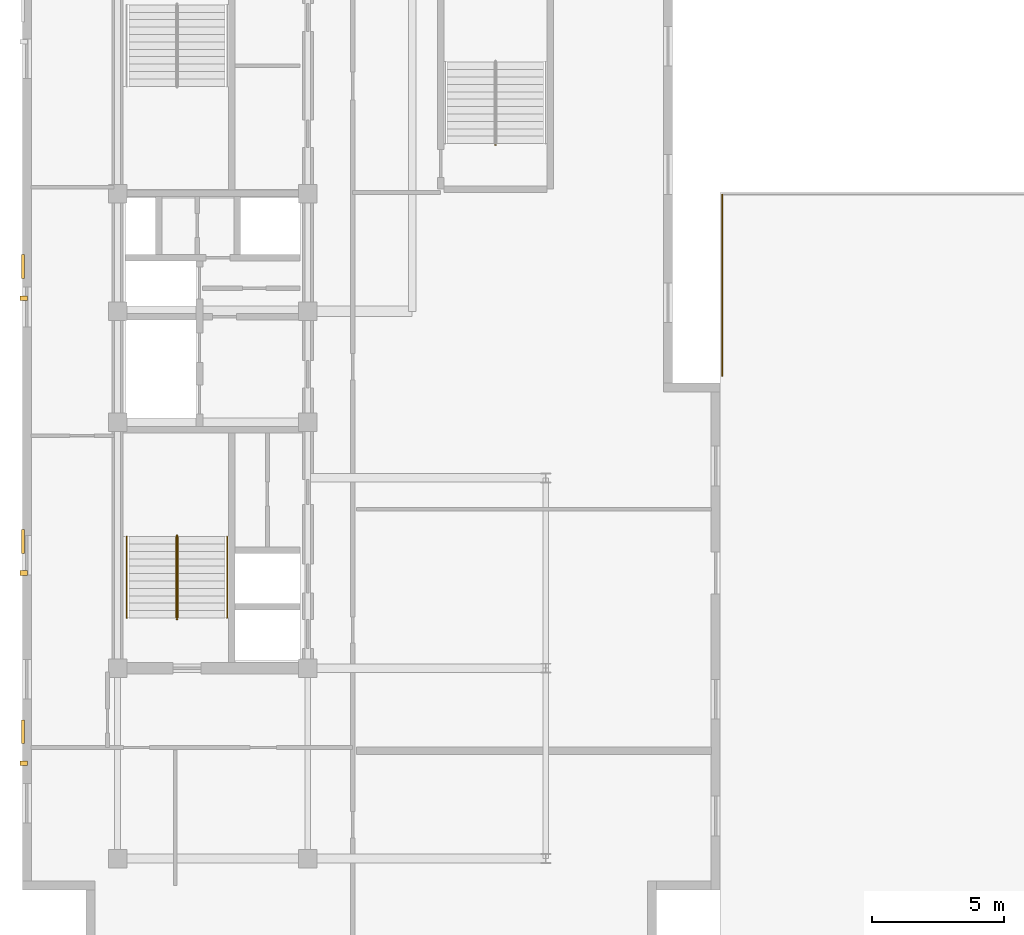
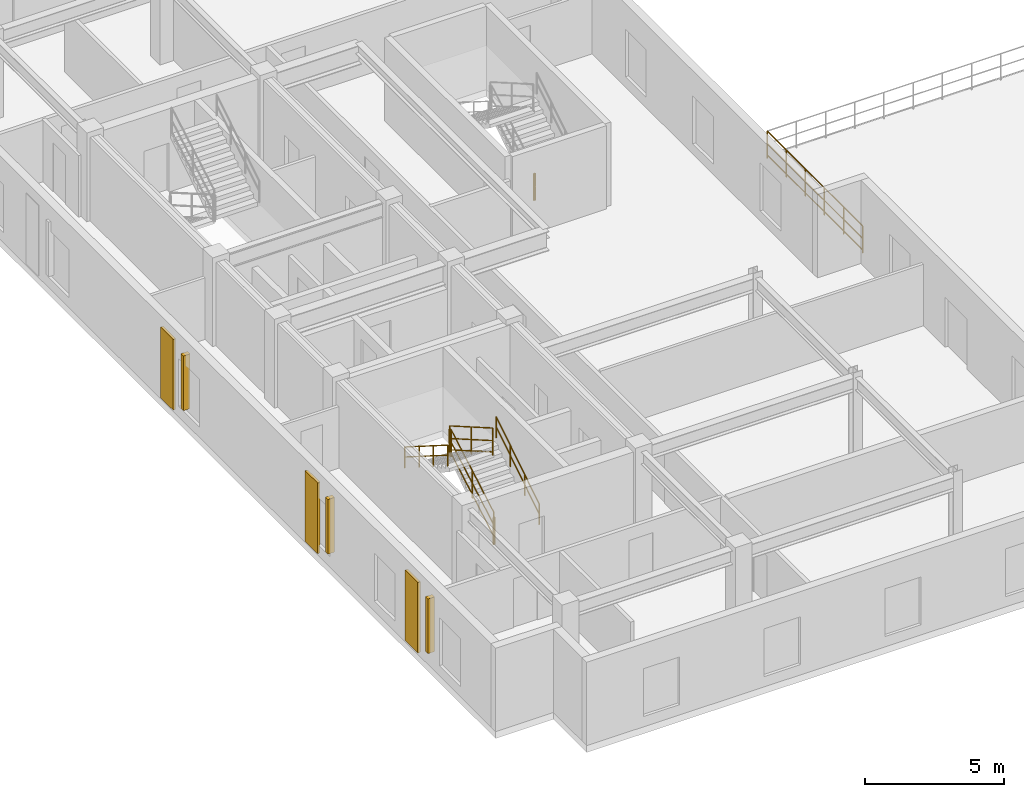
# One storey, part 5 of 7: 8 railings, 3 coverings, 3 shading devices.
"""IFC4 building model written with IfcOpenShell, lengths in metres."""

from ifc_helpers import new_model, entity, si_unit, converted_unit, direction, frame, origin_with_axes, origin_2d_with_axis, place, context, subcontext, project, spatial, rectangle, circle, extrude, material, layer, layer_set, type_object, element, save


model = new_model("IFC4")

# Units and contexts
model_context = context("Model", 3, precision=1e-05, world=origin_with_axes(), true_north=direction((0.0, 1.0)))
body_context = subcontext(model_context, "Body", "Model", "MODEL_VIEW")
ifc_project = project(units=[si_unit("LENGTHUNIT", "METRE"), si_unit("AREAUNIT", "SQUARE_METRE"), si_unit("VOLUMEUNIT", "CUBIC_METRE"), converted_unit("PLANEANGLEUNIT", "DEGREE", entity("IfcPlaneAngleMeasure", 0.017453292519943295), si_unit("PLANEANGLEUNIT", "RADIAN"), dimensions=[0, 0, 0, 0, 0, 0, 0]), si_unit("MASSUNIT", "GRAM", prefix="KILO"), si_unit("THERMODYNAMICTEMPERATUREUNIT", "KELVIN")], contexts=[model_context])

# Site, building, storey
site_placement = place(None, origin_with_axes())
site = spatial("IfcSite", under=ifc_project, at=site_placement, CompositionType="ELEMENT")
building_placement = place(site_placement, origin_with_axes())
building = spatial("IfcBuilding", under=site, at=building_placement, Name="Varnlund Millrace Tower", CompositionType="ELEMENT")
storey_placement = place(building_placement, frame((0.0, 0.0, 288.0), z_axis=(0.0, 0.0, 1.0), x_axis=(1.0, 0.0, 0.0)))
storey = spatial("IfcBuildingStorey", under=building, at=storey_placement, Name="L71", CompositionType="ELEMENT", Elevation=288.0)

# Coverings
ifc_material_1 = material(Name="Precast concrete C50/60", Category="concrete")
ifc_layer = layer(ifc_material_1, 0.11, Name="Precast concrete C50/60")
ifc_layer_set = layer_set([ifc_layer], Name="Precast concrete C50/60")
covering_type = type_object("IfcCoveringType", Name="Type-Cladding-KasotaPier-110", PredefinedType="CLADDING", material=ifc_layer_set)
for number, where, z_axis, x_axis, name in (
    (1, (7.82, 8.4, 0.1), (0.0, 0.0, 1.0), (1.0, 0.0, 0.0), "Type-Cladding-KasotaPier-110"),
    (2, (7.82, 15.6, 0.1), (0.0, 0.0, 1.0), (1.0, 0.0, 0.0), "Type-Cladding-KasotaPier-110"),
    (3, (7.82, 26.0, 0.1), (0.0, 0.0, 1.0), (1.0, 0.0, 0.0), "Type-Cladding-KasotaPier-110"),
):
    element("IfcCovering", number, at=place(storey_placement, frame(where, z_axis=z_axis, x_axis=x_axis)), inside=storey, type_object=covering_type, Name=name, PredefinedType="CLADDING", context=body_context, shape_type="SweptSolid", body=[
        extrude(rectangle(XDim=0.11, YDim=0.9, at=origin_2d_with_axis()), origin_with_axes(), (0.0, 0.0, 1.0), 3.1),
    ])

# Railing
ifc_material_2 = material(Name="Architectural bronze balustrade guard", Category="aluminium")
railing_type_1 = type_object("IfcRailingType", Name="Type-Guard-Perimeter-1150", PredefinedType="BALUSTRADE", material=ifc_material_2)
railing_1_placement = place(storey_placement, frame((0.0, 0.0, -288.0), z_axis=(0.0, 0.0, 1.0), x_axis=(1.0, 0.0, 0.0)))
element("IfcRailing", 4, at=railing_1_placement, inside=storey, type_object=railing_type_1, Name="Type-Guard-Perimeter-1150", PredefinedType="BALUSTRADE", context=body_context, shape_type="SweptSolid", body=[
    extrude(circle(Radius=0.024, at=origin_2d_with_axis()), frame((34.28, 28.72, 289.15), z_axis=(0.0, -1.0, 0.0), x_axis=(1.0, 0.0, 0.0)), (0.0, 0.0, 1.0), 6.87),
    extrude(circle(Radius=0.024, at=origin_2d_with_axis()), frame((34.28, 28.72, 288.1), z_axis=(0.0, -1.0, 0.0), x_axis=(1.0, 0.0, 0.0)), (0.0, 0.0, 1.0), 6.87),
    extrude(circle(Radius=0.024, at=origin_2d_with_axis()), frame((34.28, 28.72, 288.598), z_axis=(0.0, -1.0, 0.0), x_axis=(1.0, 0.0, 0.0)), (0.0, 0.0, 1.0), 6.87),
    extrude(rectangle(XDim=0.04, YDim=0.04, at=origin_2d_with_axis()), frame((34.28, 28.72, 287.96), z_axis=(0.0, 0.0, 1.0), x_axis=(1.0, 0.0, 0.0)), (0.0, 0.0, 1.0), 1.19),
    extrude(rectangle(XDim=0.04, YDim=0.04, at=origin_2d_with_axis()), frame((34.28, 27.346, 287.96), z_axis=(0.0, 0.0, 1.0), x_axis=(1.0, 0.0, 0.0)), (0.0, 0.0, 1.0), 1.19),
    extrude(rectangle(XDim=0.04, YDim=0.04, at=origin_2d_with_axis()), frame((34.28, 25.972, 287.96), z_axis=(0.0, 0.0, 1.0), x_axis=(1.0, 0.0, 0.0)), (0.0, 0.0, 1.0), 1.19),
    extrude(rectangle(XDim=0.04, YDim=0.04, at=origin_2d_with_axis()), frame((34.28, 24.598, 287.96), z_axis=(0.0, 0.0, 1.0), x_axis=(1.0, 0.0, 0.0)), (0.0, 0.0, 1.0), 1.19),
    extrude(rectangle(XDim=0.04, YDim=0.04, at=origin_2d_with_axis()), frame((34.28, 23.224, 287.96), z_axis=(0.0, 0.0, 1.0), x_axis=(1.0, 0.0, 0.0)), (0.0, 0.0, 1.0), 1.19),
    extrude(rectangle(XDim=0.04, YDim=0.04, at=origin_2d_with_axis()), frame((34.28, 21.85, 287.96), z_axis=(0.0, 0.0, 1.0), x_axis=(1.0, 0.0, 0.0)), (0.0, 0.0, 1.0), 1.19),
])

# Shading devices
ifc_material_3 = material(Name="Architectural bronze fluted spandrel fin", Category="aluminium")
shading_device_type = type_object("IfcShadingDeviceType", Name="Type-Shade-ArtDecoFin", PredefinedType="USERDEFINED", material=ifc_material_3)
for number, where, z_axis, x_axis, name in (
    (5, (7.85, 7.2, 0.6), (0.0, 0.0, 1.0), (1.0, 0.0, 0.0), "Type-Shade-ArtDecoFin"),
    (6, (7.85, 14.4, 0.6), (0.0, 0.0, 1.0), (1.0, 0.0, 0.0), "Type-Shade-ArtDecoFin"),
    (7, (7.85, 24.8, 0.6), (0.0, 0.0, 1.0), (1.0, 0.0, 0.0), "Type-Shade-ArtDecoFin"),
):
    element("IfcShadingDevice", number, at=place(storey_placement, frame(where, z_axis=z_axis, x_axis=x_axis)), inside=storey, type_object=shading_device_type, Name=name, ObjectType="FIN", PredefinedType="USERDEFINED", context=body_context, shape_type="SweptSolid", body=[
        extrude(rectangle(XDim=0.28, YDim=0.18, at=origin_2d_with_axis()), origin_with_axes(), (0.0, 0.0, 1.0), 2.4),
    ])

# Railings
ifc_material_4 = material(Name="Painted steel stair well balustrade guard", Category="steel")
railing_type_2 = type_object("IfcRailingType", Name="Type-StairGuard-1150", PredefinedType="GUARDRAIL", material=ifc_material_4)
railing_2_placement = place(storey_placement, frame((0.0, 0.0, -288.0), z_axis=(0.0, 0.0, 1.0), x_axis=(1.0, 0.0, 0.0)))
element("IfcRailing", 8, at=railing_2_placement, inside=storey, type_object=railing_type_2, Name="Type-StairGuard-1150", PredefinedType="GUARDRAIL", context=body_context, shape_type="SweptSolid", body=[
    extrude(circle(Radius=0.024, at=origin_2d_with_axis()), frame((13.675, 12.7, 289.327273), z_axis=(0.0, 0.866696, 0.498836), x_axis=(-1.0, 0.0, 0.0)), (0.0, 0.0, 1.0), 3.553725),
    extrude(circle(Radius=0.024, at=origin_2d_with_axis()), frame((13.675, 12.7, 288.277273), z_axis=(0.0, 0.866696, 0.498836), x_axis=(-1.0, 0.0, 0.0)), (0.0, 0.0, 1.0), 3.553725),
    extrude(circle(Radius=0.024, at=origin_2d_with_axis()), frame((13.675, 12.7, 288.775273), z_axis=(0.0, 0.866696, 0.498836), x_axis=(-1.0, 0.0, 0.0)), (0.0, 0.0, 1.0), 3.553725),
    extrude(rectangle(XDim=0.04, YDim=0.04, at=origin_2d_with_axis()), frame((13.675, 12.7, 288.137273), z_axis=(0.0, 0.0, 1.0), x_axis=(1.0, 0.0, 0.0)), (0.0, 0.0, 1.0), 1.19),
    extrude(rectangle(XDim=0.04, YDim=0.04, at=origin_2d_with_axis()), frame((13.675, 14.24, 289.023636), z_axis=(0.0, 0.0, 1.0), x_axis=(1.0, 0.0, 0.0)), (0.0, 0.0, 1.0), 1.19),
    extrude(rectangle(XDim=0.04, YDim=0.04, at=origin_2d_with_axis()), frame((13.675, 15.78, 289.91), z_axis=(0.0, 0.0, 1.0), x_axis=(1.0, 0.0, 0.0)), (0.0, 0.0, 1.0), 1.19),
])
railing_3_placement = place(storey_placement, frame((0.0, 0.0, -288.0), z_axis=(0.0, 0.0, 1.0), x_axis=(1.0, 0.0, 0.0)))
element("IfcRailing", 9, at=railing_3_placement, inside=storey, type_object=railing_type_2, Name="Type-StairGuard-1150", PredefinedType="GUARDRAIL", context=body_context, shape_type="SweptSolid", body=[
    extrude(circle(Radius=0.024, at=origin_2d_with_axis()), frame((13.625, 15.83, 291.1), z_axis=(1.0, 0.0, 0.0), x_axis=(0.0, 1.0, 0.0)), (0.0, 0.0, 1.0), 0.05),
    extrude(circle(Radius=0.024, at=origin_2d_with_axis()), frame((13.625, 15.83, 290.05), z_axis=(1.0, 0.0, 0.0), x_axis=(0.0, 1.0, 0.0)), (0.0, 0.0, 1.0), 0.05),
    extrude(circle(Radius=0.024, at=origin_2d_with_axis()), frame((13.625, 15.83, 290.548), z_axis=(1.0, 0.0, 0.0), x_axis=(0.0, 1.0, 0.0)), (0.0, 0.0, 1.0), 0.05),
    extrude(rectangle(XDim=0.04, YDim=0.04, at=origin_2d_with_axis()), frame((13.625, 15.83, 289.91), z_axis=(0.0, 0.0, 1.0), x_axis=(1.0, 0.0, 0.0)), (0.0, 0.0, 1.0), 1.19),
    extrude(rectangle(XDim=0.04, YDim=0.04, at=origin_2d_with_axis()), frame((13.675, 15.83, 289.91), z_axis=(0.0, 0.0, 1.0), x_axis=(1.0, 0.0, 0.0)), (0.0, 0.0, 1.0), 1.19),
])
railing_4_placement = place(storey_placement, frame((0.0, 0.0, -288.0), z_axis=(0.0, 0.0, 1.0), x_axis=(1.0, 0.0, 0.0)))
element("IfcRailing", 10, at=railing_4_placement, inside=storey, type_object=railing_type_2, Name="Type-StairGuard-1150", PredefinedType="GUARDRAIL", context=body_context, shape_type="SweptSolid", body=[
    extrude(circle(Radius=0.024, at=origin_2d_with_axis()), frame((13.625, 15.78, 291.277273), z_axis=(0.0, -0.866696, 0.498836), x_axis=(1.0, 0.0, 0.0)), (0.0, 0.0, 1.0), 3.553725),
    extrude(circle(Radius=0.024, at=origin_2d_with_axis()), frame((13.625, 15.78, 290.227273), z_axis=(0.0, -0.866696, 0.498836), x_axis=(1.0, 0.0, 0.0)), (0.0, 0.0, 1.0), 3.553725),
    extrude(circle(Radius=0.024, at=origin_2d_with_axis()), frame((13.625, 15.78, 290.725273), z_axis=(0.0, -0.866696, 0.498836), x_axis=(1.0, 0.0, 0.0)), (0.0, 0.0, 1.0), 3.553725),
    extrude(rectangle(XDim=0.04, YDim=0.04, at=origin_2d_with_axis()), frame((13.625, 15.78, 290.087273), z_axis=(0.0, 0.0, 1.0), x_axis=(1.0, 0.0, 0.0)), (0.0, 0.0, 1.0), 1.19),
    extrude(rectangle(XDim=0.04, YDim=0.04, at=origin_2d_with_axis()), frame((13.625, 14.24, 290.973636), z_axis=(0.0, 0.0, 1.0), x_axis=(1.0, 0.0, 0.0)), (0.0, 0.0, 1.0), 1.19),
    extrude(rectangle(XDim=0.04, YDim=0.04, at=origin_2d_with_axis()), frame((13.625, 12.7, 291.86), z_axis=(0.0, 0.0, 1.0), x_axis=(1.0, 0.0, 0.0)), (0.0, 0.0, 1.0), 1.19),
])
railing_5_placement = place(storey_placement, frame((0.0, 0.0, -288.0), z_axis=(0.0, 0.0, 1.0), x_axis=(1.0, 0.0, 0.0)))
element("IfcRailing", 11, at=railing_5_placement, inside=storey, type_object=railing_type_2, Name="Type-StairGuard-1150", PredefinedType="GUARDRAIL", context=body_context, shape_type="SweptSolid", body=[
    extrude(circle(Radius=0.024, at=origin_2d_with_axis()), frame((13.625, 12.65, 289.15), z_axis=(1.0, 0.0, 0.0), x_axis=(0.0, 1.0, 0.0)), (0.0, 0.0, 1.0), 0.05),
    extrude(circle(Radius=0.024, at=origin_2d_with_axis()), frame((13.625, 12.65, 288.1), z_axis=(1.0, 0.0, 0.0), x_axis=(0.0, 1.0, 0.0)), (0.0, 0.0, 1.0), 0.05),
    extrude(circle(Radius=0.024, at=origin_2d_with_axis()), frame((13.625, 12.65, 288.598), z_axis=(1.0, 0.0, 0.0), x_axis=(0.0, 1.0, 0.0)), (0.0, 0.0, 1.0), 0.05),
    extrude(rectangle(XDim=0.04, YDim=0.04, at=origin_2d_with_axis()), frame((13.625, 12.65, 287.96), z_axis=(0.0, 0.0, 1.0), x_axis=(1.0, 0.0, 0.0)), (0.0, 0.0, 1.0), 1.19),
    extrude(rectangle(XDim=0.04, YDim=0.04, at=origin_2d_with_axis()), frame((13.675, 12.65, 287.96), z_axis=(0.0, 0.0, 1.0), x_axis=(1.0, 0.0, 0.0)), (0.0, 0.0, 1.0), 1.19),
])
railing_6_placement = place(storey_placement, frame((0.0, 0.0, -288.0), z_axis=(0.0, 0.0, 1.0), x_axis=(1.0, 0.0, 0.0)))
element("IfcRailing", 12, at=railing_6_placement, inside=storey, type_object=railing_type_2, Name="Type-StairGuard-1150", PredefinedType="GUARDRAIL", context=body_context, shape_type="SweptSolid", body=[
    extrude(circle(Radius=0.024, at=origin_2d_with_axis()), frame((25.675, 30.6, 289.15), z_axis=(1.0, 0.0, 0.0), x_axis=(0.0, 1.0, 0.0)), (0.0, 0.0, 1.0), 0.05),
    extrude(circle(Radius=0.024, at=origin_2d_with_axis()), frame((25.675, 30.6, 288.1), z_axis=(1.0, 0.0, 0.0), x_axis=(0.0, 1.0, 0.0)), (0.0, 0.0, 1.0), 0.05),
    extrude(circle(Radius=0.024, at=origin_2d_with_axis()), frame((25.675, 30.6, 288.598), z_axis=(1.0, 0.0, 0.0), x_axis=(0.0, 1.0, 0.0)), (0.0, 0.0, 1.0), 0.05),
    extrude(rectangle(XDim=0.04, YDim=0.04, at=origin_2d_with_axis()), frame((25.675, 30.6, 287.96), z_axis=(0.0, 0.0, 1.0), x_axis=(1.0, 0.0, 0.0)), (0.0, 0.0, 1.0), 1.19),
    extrude(rectangle(XDim=0.04, YDim=0.04, at=origin_2d_with_axis()), frame((25.725, 30.6, 287.96), z_axis=(0.0, 0.0, 1.0), x_axis=(1.0, 0.0, 0.0)), (0.0, 0.0, 1.0), 1.19),
])
ifc_material_5 = material(Name="Brushed architectural bronze stair handrail", Category="aluminium")
railing_type_3 = type_object("IfcRailingType", Name="Type-StairHandrail-900", PredefinedType="HANDRAIL", material=ifc_material_5)
railing_7_placement = place(storey_placement, frame((0.0, 0.0, -288.0), z_axis=(0.0, 0.0, 1.0), x_axis=(1.0, 0.0, 0.0)))
element("IfcRailing", 13, at=railing_7_placement, inside=storey, type_object=railing_type_3, Name="Type-StairHandrail-900", PredefinedType="HANDRAIL", context=body_context, shape_type="SweptSolid", body=[
    extrude(circle(Radius=0.024, at=origin_2d_with_axis()), frame((15.55, 12.7, 289.056995), z_axis=(0.0, 0.844902, 0.534922), x_axis=(-1.0, 0.0, 0.0)), (0.0, 0.0, 1.0), 3.645394),
    extrude(circle(Radius=0.024, at=origin_2d_with_axis()), frame((15.55, 12.7, 288.617134), z_axis=(0.0, 0.844902, 0.534922), x_axis=(-1.0, 0.0, 0.0)), (0.0, 0.0, 1.0), 3.645394),
    extrude(rectangle(XDim=0.04, YDim=0.04, at=origin_2d_with_axis()), frame((15.55, 12.7, 288.137273), z_axis=(0.0, 0.0, 1.0), x_axis=(1.0, 0.0, 0.0)), (0.0, 0.0, 1.0), 0.919722),
    extrude(rectangle(XDim=0.04, YDim=0.04, at=origin_2d_with_axis()), frame((15.55, 13.726667, 288.787273), z_axis=(0.0, 0.0, 1.0), x_axis=(1.0, 0.0, 0.0)), (0.0, 0.0, 1.0), 0.919722),
    extrude(rectangle(XDim=0.04, YDim=0.04, at=origin_2d_with_axis()), frame((15.55, 14.753333, 289.437273), z_axis=(0.0, 0.0, 1.0), x_axis=(1.0, 0.0, 0.0)), (0.0, 0.0, 1.0), 0.919722),
    extrude(rectangle(XDim=0.04, YDim=0.04, at=origin_2d_with_axis()), frame((15.55, 15.78, 290.087273), z_axis=(0.0, 0.0, 1.0), x_axis=(1.0, 0.0, 0.0)), (0.0, 0.0, 1.0), 0.919722),
])
railing_8_placement = place(storey_placement, frame((0.0, 0.0, -288.0), z_axis=(0.0, 0.0, 1.0), x_axis=(1.0, 0.0, 0.0)))
element("IfcRailing", 14, at=railing_8_placement, inside=storey, type_object=railing_type_3, Name="Type-StairHandrail-900", PredefinedType="HANDRAIL", context=body_context, shape_type="SweptSolid", body=[
    extrude(circle(Radius=0.024, at=origin_2d_with_axis()), frame((11.75, 15.78, 291.006995), z_axis=(0.0, -0.844902, 0.534922), x_axis=(1.0, 0.0, 0.0)), (0.0, 0.0, 1.0), 3.645394),
    extrude(circle(Radius=0.024, at=origin_2d_with_axis()), frame((11.75, 15.78, 290.567134), z_axis=(0.0, -0.844902, 0.534922), x_axis=(1.0, 0.0, 0.0)), (0.0, 0.0, 1.0), 3.645394),
    extrude(rectangle(XDim=0.04, YDim=0.04, at=origin_2d_with_axis()), frame((11.75, 15.78, 290.087273), z_axis=(0.0, 0.0, 1.0), x_axis=(1.0, 0.0, 0.0)), (0.0, 0.0, 1.0), 0.919722),
    extrude(rectangle(XDim=0.04, YDim=0.04, at=origin_2d_with_axis()), frame((11.75, 14.753333, 290.737273), z_axis=(0.0, 0.0, 1.0), x_axis=(1.0, 0.0, 0.0)), (0.0, 0.0, 1.0), 0.919722),
    extrude(rectangle(XDim=0.04, YDim=0.04, at=origin_2d_with_axis()), frame((11.75, 13.726667, 291.387273), z_axis=(0.0, 0.0, 1.0), x_axis=(1.0, 0.0, 0.0)), (0.0, 0.0, 1.0), 0.919722),
    extrude(rectangle(XDim=0.04, YDim=0.04, at=origin_2d_with_axis()), frame((11.75, 12.7, 292.037273), z_axis=(0.0, 0.0, 1.0), x_axis=(1.0, 0.0, 0.0)), (0.0, 0.0, 1.0), 0.919722),
])

save(model, "model.ifc")
